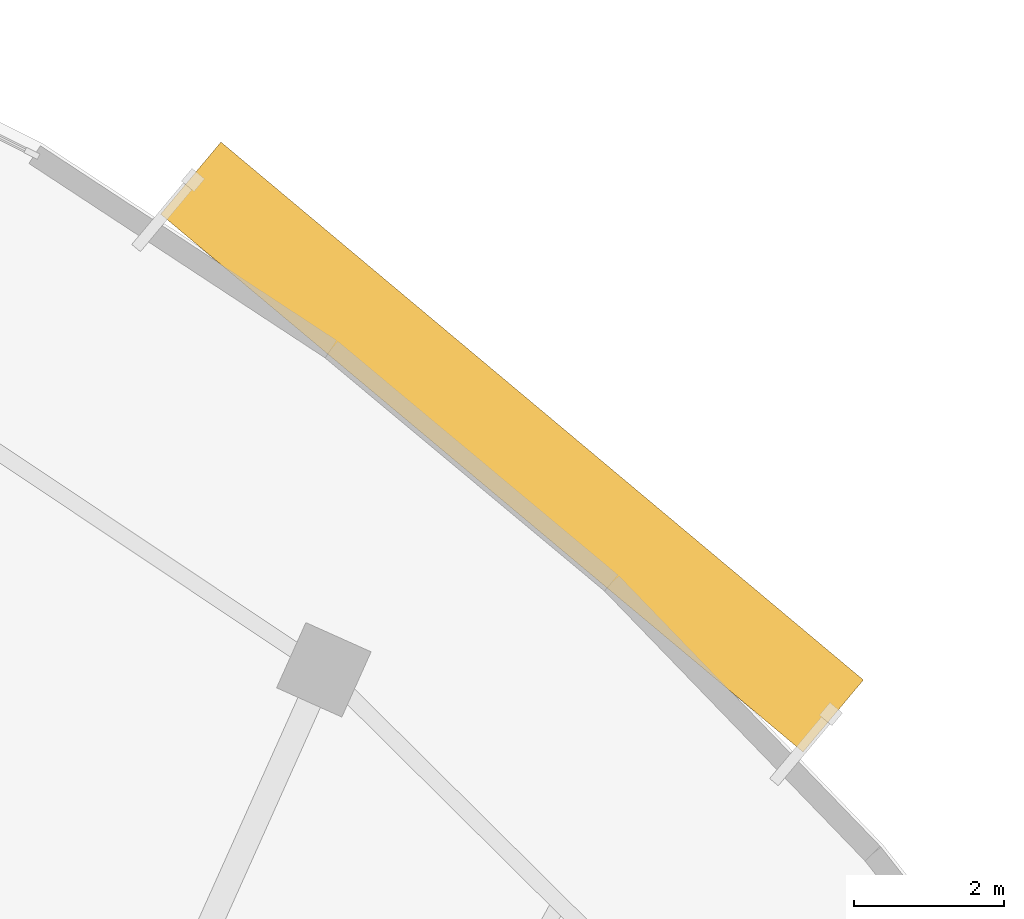
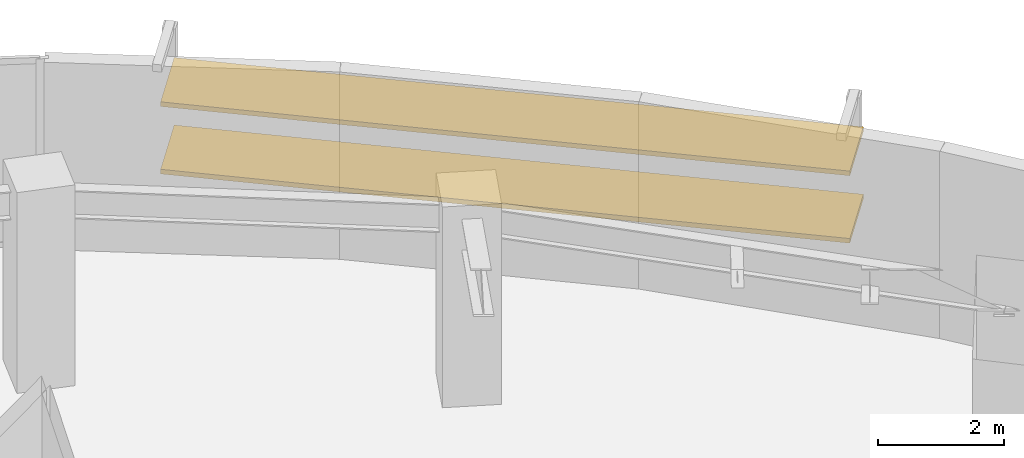
# One storey, part 14 of 14: 2 shading devices.
"""IFC4 building model written with IfcOpenShell, lengths in metres."""

import ifcopenshell
import ifcopenshell.guid

model = None  # the IFC model being written
_history = None  # IfcOwnerHistory: only IFC2X3 demands one
_inside = {}  # id of a spatial element -> (the spatial element, [elements in it])
_under = {}  # id of a project, library or spatial element -> (it, [spatial elements below it])
_declared = {}  # id of a project -> (the project, [libraries it declares])
_typed = {}  # id of a type object -> (the type object, [elements of that type])
_made_of = {}  # id of a material, layer set ... -> (it, [elements and type objects made of it])


def new_model(schema):
    """Start an empty IFC model of exactly this schema.

    Asked for "IFC4X3", IfcOpenShell would pick the latest addendum, in which some entities
    have other attributes; the version numbers below select the first issue.
    IFC2X3 requires an IfcOwnerHistory on every rooted entity: one is made here for all.
    """
    global model, _history
    if schema == "IFC4X3":
        model = ifcopenshell.file(schema_version=(4, 3, 0, 0))
    else:
        model = ifcopenshell.file(schema=schema)
    _inside.clear()
    _under.clear()
    _declared.clear()
    _typed.clear()
    _made_of.clear()
    _history = None
    if model.schema == "IFC2X3":
        org = make("IfcOrganization", Name="unknown")
        user = make(
            "IfcPersonAndOrganization",
            ThePerson=make("IfcPerson", FamilyName="unknown"),
            TheOrganization=org,
        )
        app = make(
            "IfcApplication",
            ApplicationDeveloper=org,
            Version="unknown",
            ApplicationFullName="unknown",
            ApplicationIdentifier="unknown",
        )
        _history = make(
            "IfcOwnerHistory",
            OwningUser=user,
            OwningApplication=app,
            ChangeAction="ADDED",
            CreationDate=0,
        )
    return model


def make(cls, **values):
    """One entity of the class cls with the attributes given. An attribute that is None is left unset."""
    return model.create_entity(
        cls, **{name: value for name, value in values.items() if value is not None}
    )


def rooted(cls, **values):
    """An entity with a GlobalId (a new one), such as an element, a storey or a relation."""
    return make(cls, GlobalId=ifcopenshell.guid.new(), OwnerHistory=_history, **values)


def si_unit(unit_type, name, prefix=None):
    """IfcSIUnit, for example si_unit("LENGTHUNIT", "METRE", prefix="MILLI")."""
    return make("IfcSIUnit", UnitType=unit_type, Prefix=prefix, Name=name)


def assignment(units):
    """IfcUnitAssignment: the units of a project."""
    return None if units is None else make("IfcUnitAssignment", Units=units)


def point(xyz):
    """IfcCartesianPoint."""
    return None if xyz is None else make("IfcCartesianPoint", Coordinates=xyz)


def direction(xyz):
    """IfcDirection."""
    return None if xyz is None else make("IfcDirection", DirectionRatios=xyz)


def frame(location, z_axis=None, x_axis=None):
    """IfcAxis2Placement3D, a coordinate frame: its origin and axes. An axis left out is left unset."""
    return make(
        "IfcAxis2Placement3D",
        Location=point(location),
        Axis=direction(z_axis),
        RefDirection=direction(x_axis),
    )


def frame_2d(location, x_axis=None):
    """IfcAxis2Placement2D, a coordinate frame in the plane: its origin and x axis."""
    return make(
        "IfcAxis2Placement2D", Location=point(location), RefDirection=direction(x_axis)
    )


def origin():
    """The frame at (0, 0, 0) with its axes left unset."""
    return frame((0.0, 0.0, 0.0))


def origin_2d():
    """The frame at (0, 0) in the plane with its x axis left unset."""
    return frame_2d((0.0, 0.0))


def place(relative_to, where):
    """IfcLocalPlacement: puts the frame where relative to a parent placement (None: the world)."""
    return make(
        "IfcLocalPlacement", PlacementRelTo=relative_to, RelativePlacement=where
    )


def context(
    kind, dimensions, precision=None, world=None, true_north=None, identifier=None
):
    """IfcGeometricRepresentationContext, for example the 3D "Model" context."""
    return make(
        "IfcGeometricRepresentationContext",
        ContextIdentifier=identifier,
        ContextType=kind,
        CoordinateSpaceDimension=dimensions,
        Precision=precision,
        WorldCoordinateSystem=world,
        TrueNorth=true_north,
    )


def subcontext(parent, identifier, kind, view, scale=None):
    """IfcGeometricRepresentationSubContext, for example "Body" below "Model"."""
    return make(
        "IfcGeometricRepresentationSubContext",
        ContextIdentifier=identifier,
        ContextType=kind,
        ParentContext=parent,
        TargetScale=scale,
        TargetView=view,
    )


def project(units=None, contexts=None):
    """IfcProject with its units and contexts."""
    return rooted(
        "IfcProject",
        Name="project",
        RepresentationContexts=contexts,
        UnitsInContext=assignment(units),
    )


def spatial(cls, under=None, at=None, **own):
    """A site, building, storey or space (cls), placed at a placement, below another one or the project."""
    s = rooted(cls, ObjectPlacement=at, **own)
    if under is not None:
        _under.setdefault(under.id(), (under, []))[1].append(s)
    return s


def profile(cls, at=None, kind="AREA", **sizes):
    """A parametric profile (cls). Its sizes go by their IFC names, for example OverallWidth=200.0."""
    return make(cls, ProfileType=kind, Position=at, **sizes)


def rectangle(**sizes):
    """IfcRectangleProfileDef."""
    return profile("IfcRectangleProfileDef", **sizes)


def extrude(swept, where, along, depth):
    """IfcExtrudedAreaSolid: the profile swept, set in the frame where, extruded along a direction by depth."""
    return make(
        "IfcExtrudedAreaSolid",
        SweptArea=swept,
        Position=where,
        ExtrudedDirection=direction(along),
        Depth=depth,
    )


def shape(context_of_items, identifier, shape_type, items):
    """IfcShapeRepresentation: the items that make up one representation, for example the "Body"."""
    return make(
        "IfcShapeRepresentation",
        ContextOfItems=context_of_items,
        RepresentationIdentifier=identifier,
        RepresentationType=shape_type,
        Items=items,
    )


def source(mapping_origin, context_of_items, identifier, shape_type, items):
    """IfcRepresentationMap: a shape defined once, which mapped items show again and again."""
    return make(
        "IfcRepresentationMap",
        MappingOrigin=mapping_origin,
        MappedRepresentation=shape(context_of_items, identifier, shape_type, items),
    )


def transform(
    local_origin,
    x_axis=None,
    y_axis=None,
    z_axis=None,
    scale=None,
    scale2=None,
    scale3=None,
    uniform=True,
):
    """IfcCartesianTransformationOperator3D, or its non-uniform kind. x_axis, y_axis, z_axis: its Axis1, 2, 3."""
    if uniform:
        return make(
            "IfcCartesianTransformationOperator3D",
            Axis1=direction(x_axis),
            Axis2=direction(y_axis),
            LocalOrigin=point(local_origin),
            Scale=scale,
            Axis3=direction(z_axis),
        )
    return make(
        "IfcCartesianTransformationOperator3DnonUniform",
        Axis1=direction(x_axis),
        Axis2=direction(y_axis),
        LocalOrigin=point(local_origin),
        Scale=scale,
        Axis3=direction(z_axis),
        Scale2=scale2,
        Scale3=scale3,
    )


def mapped(mapping_source, mapping_target):
    """IfcMappedItem: shows the shape of a source again, moved by a transform."""
    return make(
        "IfcMappedItem", MappingSource=mapping_source, MappingTarget=mapping_target
    )


def material(Name=None, Category=None):
    """IfcMaterial."""
    return make("IfcMaterial", Name=Name, Category=Category)


def material_profile(
    of_material, cross_section, Name=None, Category=None, Priority=None
):
    """IfcMaterialProfile: a cross section and its material."""
    return make(
        "IfcMaterialProfile",
        Name=Name,
        Material=of_material,
        Profile=cross_section,
        Priority=Priority,
        Category=Category,
    )


def profile_set(profiles, Name=None, composite=None):
    """IfcMaterialProfileSet."""
    return make(
        "IfcMaterialProfileSet",
        Name=Name,
        MaterialProfiles=profiles,
        CompositeProfile=composite,
    )


def made_of(thing, what):
    """Note that an element or type object is made of a material, layer set ...; save() writes the relation."""
    if what is not None:
        _made_of.setdefault(what.id(), (what, []))[1].append(thing)
    return thing


def type_object(cls, material=None, **own):
    """A type object (cls), such as IfcWallType, which elements share."""
    return made_of(rooted(cls, **own), material)


def element(
    cls,
    number,
    at=None,
    inside=None,
    cuts=None,
    type_object=None,
    material=None,
    context=None,
    identifier="Body",
    shape_type=None,
    held_by="IfcProductDefinitionShape",
    body=None,
    shapes=None,
    **own,
):
    """One element of the class cls, such as IfcWall. Its Tag is "e" and its number.

    at: its placement. inside: the storey or other place that contains it. cuts: it is an
    opening in that element (IfcRelVoidsElement). A single representation is given by context,
    identifier, shape_type and body (its items); several are given by shapes. held_by: the class
    of the entity that holds the representations. save() writes the other relations.
    """
    e = rooted(cls, Tag="e%d" % number, ObjectPlacement=at, **own)
    if body is not None:
        shapes = [shape(context, identifier, shape_type, body)]
    if shapes is not None:
        e.Representation = make(held_by, Representations=shapes)
    if inside is not None:
        _inside.setdefault(inside.id(), (inside, []))[1].append(e)
    if cuts is not None:
        rooted(
            "IfcRelVoidsElement", RelatingBuildingElement=cuts, RelatedOpeningElement=e
        )
    if type_object is not None:
        _typed.setdefault(type_object.id(), (type_object, []))[1].append(e)
    return made_of(e, material)


def aggregate(whole, parts):
    """IfcRelAggregates: a whole, such as a stair, and the parts it consists of."""
    return rooted("IfcRelAggregates", RelatingObject=whole, RelatedObjects=parts)


def save(model, path):
    """Write the relations noted so far, then the file.

    IfcRelAggregates (storeys below a building ...), IfcRelContainedInSpatialStructure (elements
    in a storey), IfcRelDefinesByType, IfcRelAssociatesMaterial and IfcRelDeclares: one each for
    every whole, place, type object, material and project.
    """
    for whole, parts in _under.values():
        aggregate(whole, parts)
    for where, things in _inside.values():
        rooted(
            "IfcRelContainedInSpatialStructure",
            RelatedElements=things,
            RelatingStructure=where,
        )
    for kind, things in _typed.values():
        rooted("IfcRelDefinesByType", RelatedObjects=things, RelatingType=kind)
    for what, things in _made_of.values():
        rooted("IfcRelAssociatesMaterial", RelatedObjects=things, RelatingMaterial=what)
    for by, libraries in _declared.values():
        rooted("IfcRelDeclares", RelatingContext=by, RelatedDefinitions=libraries)
    model.write(path)


model = new_model("IFC4")

# Units and contexts
model_context = context("Model", 3, precision=1e-05, world=origin(), true_north=direction((0.0, 1.0)))
body_context = subcontext(model_context, "Body", "Model", "MODEL_VIEW")
ifc_project = project(units=[si_unit("LENGTHUNIT", "METRE"), si_unit("AREAUNIT", "SQUARE_METRE"), si_unit("VOLUMEUNIT", "CUBIC_METRE"), si_unit("PLANEANGLEUNIT", "RADIAN"), si_unit("MASSUNIT", "GRAM", prefix="KILO")], contexts=[model_context])

# Site, building, storey
site_placement = place(None, origin())
site = spatial("IfcSite", under=ifc_project, at=site_placement, CompositionType="ELEMENT")
building_placement = place(site_placement, origin())
building = spatial("IfcBuilding", under=site, at=building_placement, Name="Breltana Convention Tower", CompositionType="ELEMENT")
storey_placement = place(building_placement, frame((0.0, 0.0, 211.800048828125)))
storey = spatial("IfcBuildingStorey", under=building, at=storey_placement, Name="L51", CompositionType="ELEMENT", Elevation=211.800048828125)

# Shading devices
ifc_material = material(Name="Limestone Warm Buff Honed", Category="masonry")
ifc_material_profile = material_profile(ifc_material, rectangle(XDim=1.25, YDim=0.090087890625, at=origin_2d()), Name="STN-LVR-1250X90")
ifc_profile_set = profile_set([ifc_material_profile], Name="Limestone Warm Buff Honed")
shading_device_type = type_object("IfcShadingDeviceType", Name="SHD-OUTER-SKIN-LIMESTONE-1250", PredefinedType="JALOUSIE", material=ifc_profile_set)
shared_shape = source(origin(), body_context, "Body", "SweptSolid", [
    extrude(rectangle(XDim=1.25, YDim=0.090087890625, at=origin_2d()), origin(), (0.0, 0.0, 1.0), 11.138671875),
])
for number, where, z_axis, x_axis, name in (
    (1, (67.141357421875, 75.169921875, 1.310302734375), (0.76671903432, -0.641982805386, 0.0), (0.641982805386, 0.76671903432, 0.0), "L51 outer skin warm limestone louvre 2.1"),
    (2, (67.141357421875, 75.169921875, 2.620849609375), (0.76671903432, -0.641982805386, 0.0), (0.641982805386, 0.76671903432, 0.0), "L51 outer skin warm limestone louvre 2.2"),
):
    element("IfcShadingDevice", number, at=place(storey_placement, frame(where, z_axis=z_axis, x_axis=x_axis)), inside=storey, type_object=shading_device_type, Name=name, PredefinedType="JALOUSIE", context=body_context, shape_type="MappedRepresentation", body=[
        mapped(shared_shape, transform((0.0, 0.0, 0.0), scale=1.0)),
    ])

save(model, "model.ifc")
